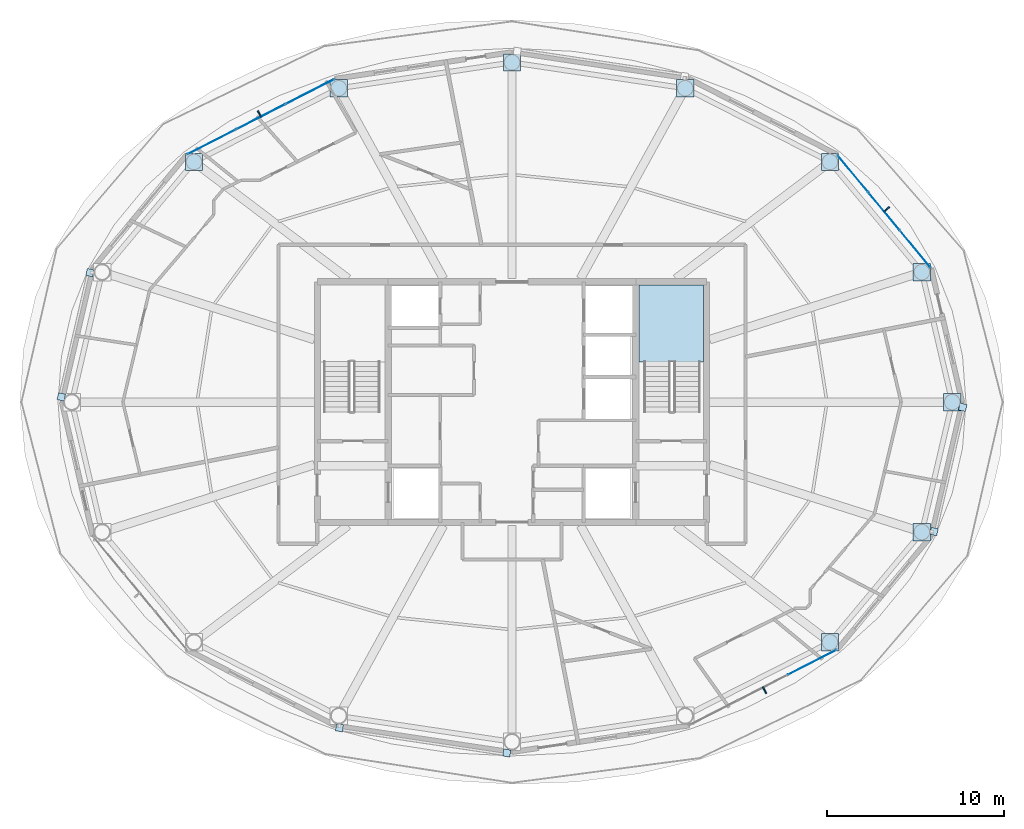
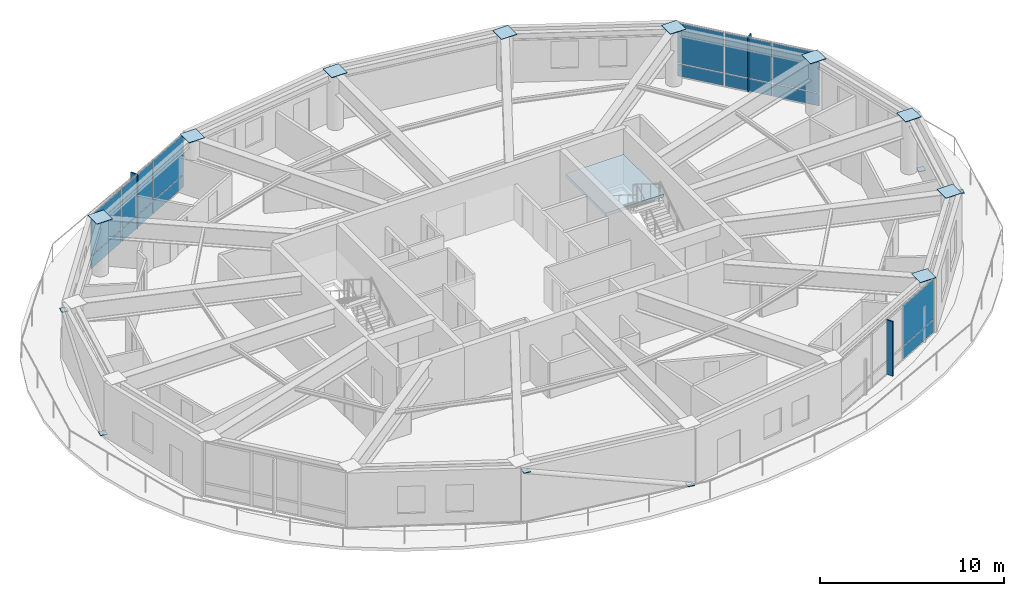
# One storey, part 17 of 24: 32 plates, 1 slab, 4 elements without a shape of their own.
"""IFC4 building model written with IfcOpenShell, lengths in metres."""

import ifcopenshell
import ifcopenshell.guid

model = None  # the IFC model being written
_history = None  # IfcOwnerHistory: only IFC2X3 demands one
_inside = {}  # id of a spatial element -> (the spatial element, [elements in it])
_under = {}  # id of a project, library or spatial element -> (it, [spatial elements below it])
_declared = {}  # id of a project -> (the project, [libraries it declares])
_typed = {}  # id of a type object -> (the type object, [elements of that type])
_made_of = {}  # id of a material, layer set ... -> (it, [elements and type objects made of it])


def new_model(schema):
    """Start an empty IFC model of exactly this schema.

    Asked for "IFC4X3", IfcOpenShell would pick the latest addendum, in which some entities
    have other attributes; the version numbers below select the first issue.
    IFC2X3 requires an IfcOwnerHistory on every rooted entity: one is made here for all.
    """
    global model, _history
    if schema == "IFC4X3":
        model = ifcopenshell.file(schema_version=(4, 3, 0, 0))
    else:
        model = ifcopenshell.file(schema=schema)
    _inside.clear()
    _under.clear()
    _declared.clear()
    _typed.clear()
    _made_of.clear()
    _history = None
    if model.schema == "IFC2X3":
        org = make("IfcOrganization", Name="unknown")
        user = make(
            "IfcPersonAndOrganization",
            ThePerson=make("IfcPerson", FamilyName="unknown"),
            TheOrganization=org,
        )
        app = make(
            "IfcApplication",
            ApplicationDeveloper=org,
            Version="unknown",
            ApplicationFullName="unknown",
            ApplicationIdentifier="unknown",
        )
        _history = make(
            "IfcOwnerHistory",
            OwningUser=user,
            OwningApplication=app,
            ChangeAction="ADDED",
            CreationDate=0,
        )
    return model


def make(cls, **values):
    """One entity of the class cls with the attributes given. An attribute that is None is left unset."""
    return model.create_entity(
        cls, **{name: value for name, value in values.items() if value is not None}
    )


def rooted(cls, **values):
    """An entity with a GlobalId (a new one), such as an element, a storey or a relation."""
    return make(cls, GlobalId=ifcopenshell.guid.new(), OwnerHistory=_history, **values)


def si_unit(unit_type, name, prefix=None):
    """IfcSIUnit, for example si_unit("LENGTHUNIT", "METRE", prefix="MILLI")."""
    return make("IfcSIUnit", UnitType=unit_type, Prefix=prefix, Name=name)


def assignment(units):
    """IfcUnitAssignment: the units of a project."""
    return None if units is None else make("IfcUnitAssignment", Units=units)


def point(xyz):
    """IfcCartesianPoint."""
    return None if xyz is None else make("IfcCartesianPoint", Coordinates=xyz)


def direction(xyz):
    """IfcDirection."""
    return None if xyz is None else make("IfcDirection", DirectionRatios=xyz)


def frame(location, z_axis=None, x_axis=None):
    """IfcAxis2Placement3D, a coordinate frame: its origin and axes. An axis left out is left unset."""
    return make(
        "IfcAxis2Placement3D",
        Location=point(location),
        Axis=direction(z_axis),
        RefDirection=direction(x_axis),
    )


def frame_2d(location, x_axis=None):
    """IfcAxis2Placement2D, a coordinate frame in the plane: its origin and x axis."""
    return make(
        "IfcAxis2Placement2D", Location=point(location), RefDirection=direction(x_axis)
    )


def origin():
    """The frame at (0, 0, 0) with its axes left unset."""
    return frame((0.0, 0.0, 0.0))


def origin_2d():
    """The frame at (0, 0) in the plane with its x axis left unset."""
    return frame_2d((0.0, 0.0))


def place(relative_to, where):
    """IfcLocalPlacement: puts the frame where relative to a parent placement (None: the world)."""
    return make(
        "IfcLocalPlacement", PlacementRelTo=relative_to, RelativePlacement=where
    )


def context(
    kind, dimensions, precision=None, world=None, true_north=None, identifier=None
):
    """IfcGeometricRepresentationContext, for example the 3D "Model" context."""
    return make(
        "IfcGeometricRepresentationContext",
        ContextIdentifier=identifier,
        ContextType=kind,
        CoordinateSpaceDimension=dimensions,
        Precision=precision,
        WorldCoordinateSystem=world,
        TrueNorth=true_north,
    )


def subcontext(parent, identifier, kind, view, scale=None):
    """IfcGeometricRepresentationSubContext, for example "Body" below "Model"."""
    return make(
        "IfcGeometricRepresentationSubContext",
        ContextIdentifier=identifier,
        ContextType=kind,
        ParentContext=parent,
        TargetScale=scale,
        TargetView=view,
    )


def project(units=None, contexts=None):
    """IfcProject with its units and contexts."""
    return rooted(
        "IfcProject",
        Name="project",
        RepresentationContexts=contexts,
        UnitsInContext=assignment(units),
    )


def spatial(cls, under=None, at=None, **own):
    """A site, building, storey or space (cls), placed at a placement, below another one or the project."""
    s = rooted(cls, ObjectPlacement=at, **own)
    if under is not None:
        _under.setdefault(under.id(), (under, []))[1].append(s)
    return s


def polyline(points):
    """IfcPolyline through the points."""
    return make("IfcPolyline", Points=[point(p) for p in points])


def profile(cls, at=None, kind="AREA", **sizes):
    """A parametric profile (cls). Its sizes go by their IFC names, for example OverallWidth=200.0."""
    return make(cls, ProfileType=kind, Position=at, **sizes)


def rectangle(**sizes):
    """IfcRectangleProfileDef."""
    return profile("IfcRectangleProfileDef", **sizes)


def outline(outer, holes=None, kind="AREA"):
    """IfcArbitraryClosedProfileDef: a profile drawn as a closed curve; with holes, ...WithVoids."""
    if holes is None:
        return make("IfcArbitraryClosedProfileDef", ProfileType=kind, OuterCurve=outer)
    return make(
        "IfcArbitraryProfileDefWithVoids",
        ProfileType=kind,
        OuterCurve=outer,
        InnerCurves=holes,
    )


def extrude(swept, where, along, depth):
    """IfcExtrudedAreaSolid: the profile swept, set in the frame where, extruded along a direction by depth."""
    return make(
        "IfcExtrudedAreaSolid",
        SweptArea=swept,
        Position=where,
        ExtrudedDirection=direction(along),
        Depth=depth,
    )


def shape(context_of_items, identifier, shape_type, items):
    """IfcShapeRepresentation: the items that make up one representation, for example the "Body"."""
    return make(
        "IfcShapeRepresentation",
        ContextOfItems=context_of_items,
        RepresentationIdentifier=identifier,
        RepresentationType=shape_type,
        Items=items,
    )


def material(Name=None, Category=None):
    """IfcMaterial."""
    return make("IfcMaterial", Name=Name, Category=Category)


def layer(
    of_material, thickness, ventilated=None, Name=None, Category=None, Priority=None
):
    """IfcMaterialLayer: one layer of a wall or slab, of a material (None: an air gap)."""
    return make(
        "IfcMaterialLayer",
        Material=of_material,
        LayerThickness=thickness,
        IsVentilated=ventilated,
        Name=Name,
        Category=Category,
        Priority=Priority,
    )


def layer_set(layers, Name=None):
    """IfcMaterialLayerSet."""
    return make("IfcMaterialLayerSet", MaterialLayers=layers, LayerSetName=Name)


def made_of(thing, what):
    """Note that an element or type object is made of a material, layer set ...; save() writes the relation."""
    if what is not None:
        _made_of.setdefault(what.id(), (what, []))[1].append(thing)
    return thing


def type_object(cls, material=None, **own):
    """A type object (cls), such as IfcWallType, which elements share."""
    return made_of(rooted(cls, **own), material)


def element(
    cls,
    number,
    at=None,
    inside=None,
    cuts=None,
    type_object=None,
    material=None,
    context=None,
    identifier="Body",
    shape_type=None,
    held_by="IfcProductDefinitionShape",
    body=None,
    shapes=None,
    **own,
):
    """One element of the class cls, such as IfcWall. Its Tag is "e" and its number.

    at: its placement. inside: the storey or other place that contains it. cuts: it is an
    opening in that element (IfcRelVoidsElement). A single representation is given by context,
    identifier, shape_type and body (its items); several are given by shapes. held_by: the class
    of the entity that holds the representations. save() writes the other relations.
    """
    e = rooted(cls, Tag="e%d" % number, ObjectPlacement=at, **own)
    if body is not None:
        shapes = [shape(context, identifier, shape_type, body)]
    if shapes is not None:
        e.Representation = make(held_by, Representations=shapes)
    if inside is not None:
        _inside.setdefault(inside.id(), (inside, []))[1].append(e)
    if cuts is not None:
        rooted(
            "IfcRelVoidsElement", RelatingBuildingElement=cuts, RelatedOpeningElement=e
        )
    if type_object is not None:
        _typed.setdefault(type_object.id(), (type_object, []))[1].append(e)
    return made_of(e, material)


def aggregate(whole, parts):
    """IfcRelAggregates: a whole, such as a stair, and the parts it consists of."""
    return rooted("IfcRelAggregates", RelatingObject=whole, RelatedObjects=parts)


def save(model, path):
    """Write the relations noted so far, then the file.

    IfcRelAggregates (storeys below a building ...), IfcRelContainedInSpatialStructure (elements
    in a storey), IfcRelDefinesByType, IfcRelAssociatesMaterial and IfcRelDeclares: one each for
    every whole, place, type object, material and project.
    """
    for whole, parts in _under.values():
        aggregate(whole, parts)
    for where, things in _inside.values():
        rooted(
            "IfcRelContainedInSpatialStructure",
            RelatedElements=things,
            RelatingStructure=where,
        )
    for kind, things in _typed.values():
        rooted("IfcRelDefinesByType", RelatedObjects=things, RelatingType=kind)
    for what, things in _made_of.values():
        rooted("IfcRelAssociatesMaterial", RelatedObjects=things, RelatingMaterial=what)
    for by, libraries in _declared.values():
        rooted("IfcRelDeclares", RelatingContext=by, RelatedDefinitions=libraries)
    model.write(path)


model = new_model("IFC4")

# Units and contexts
model_context = context("Model", 3, precision=1e-05, world=origin(), true_north=direction((0.0, 1.0)))
body_context = subcontext(model_context, "Body", "Model", "MODEL_VIEW")
ifc_project = project(units=[si_unit("LENGTHUNIT", "METRE"), si_unit("AREAUNIT", "SQUARE_METRE"), si_unit("VOLUMEUNIT", "CUBIC_METRE"), si_unit("PLANEANGLEUNIT", "RADIAN"), si_unit("MASSUNIT", "GRAM", prefix="KILO")], contexts=[model_context])

# Site, building, storey
site_placement = place(None, origin())
site = spatial("IfcSite", under=ifc_project, at=site_placement, CompositionType="ELEMENT")
building_placement = place(site_placement, origin())
building = spatial("IfcBuilding", under=site, at=building_placement, Name="Sarneth Arch Tower", CompositionType="ELEMENT")
storey_placement = place(building_placement, frame((0.0, 0.0, 312.60009765625)))
storey = spatial("IfcBuildingStorey", under=building, at=storey_placement, Name="L81", CompositionType="ELEMENT", Elevation=312.60009765625)

# Curtain wall, plates
ifc_material_1 = material(Name="Anodised aluminium Type AA25 and solar-control low-e laminated IGU", Category="aluminium")
ifc_layer_1 = layer(ifc_material_1, 0.179931640625)
ifc_layer_set_1 = layer_set([ifc_layer_1], Name="Anodised aluminium Type AA25 and solar-control low-e laminated IGU")
curtain_wall_type = type_object("IfcCurtainWallType", Name="CW-RES-HIGH", PredefinedType="NOTDEFINED", material=ifc_layer_set_1)
curtain_wall_1_placement = place(storey_placement, origin())
curtain_wall_1 = element("IfcCurtainWall", 1, at=curtain_wall_1_placement, inside=storey, type_object=curtain_wall_type, Name="L81 Unitised curtain wall facet 02", PredefinedType="NOTDEFINED")
ifc_material_2 = material(Name="Solar-control low-e laminated IGU", Category="glass")
ifc_layer_2 = layer(ifc_material_2, 0.028076171875)
ifc_layer_set_2 = layer_set([ifc_layer_2], Name="Solar-control low-e laminated IGU")
plate_type_1 = type_object("IfcPlateType", Name="CW-PANEL", PredefinedType="CURTAIN_PANEL", material=ifc_layer_set_2)
plate_1_placement = place(storey_placement, frame((70.799072265625, 50.650634765625, 0.059814453125), z_axis=(0.0, 0.0, 1.0), x_axis=(-0.637610094184, 0.770359245933, 0.0)))
plate_1 = element("IfcPlate", 2, at=plate_1_placement, type_object=plate_type_1, Name="Curtain wall glazed vision pane CW-L81-F02/P00-00", PredefinedType="CURTAIN_PANEL", context=body_context, shape_type="SweptSolid", body=[
    extrude(rectangle(XDim=2.686767578125, YDim=0.028076171875, at=origin_2d()), origin(), (0.0, 0.0, 1.0), 0.81005859375),
])
plate_2_placement = place(storey_placement, frame((70.799072265625, 50.650634765625, 0.929931640625), z_axis=(0.0, 0.0, 1.0), x_axis=(-0.637610094184, 0.770359245933, 0.0)))
plate_2 = element("IfcPlate", 3, at=plate_2_placement, type_object=plate_type_1, Name="Curtain wall glazed vision pane CW-L81-F02/P00-01", PredefinedType="CURTAIN_PANEL", context=body_context, shape_type="SweptSolid", body=[
    extrude(rectangle(XDim=2.686767578125, YDim=0.028076171875, at=origin_2d()), origin(), (0.0, 0.0, 1.0), 2.64990234375),
])
plate_3_placement = place(storey_placement, frame((69.0380859375, 52.778076171875, 0.059814453125), z_axis=(0.0, 0.0, 1.0), x_axis=(-0.637610094184, 0.770359245933, 0.0)))
plate_3 = element("IfcPlate", 4, at=plate_3_placement, type_object=plate_type_1, Name="Curtain wall glazed vision pane CW-L81-F02/P01-00", PredefinedType="CURTAIN_PANEL", context=body_context, shape_type="SweptSolid", body=[
    extrude(rectangle(XDim=2.716552734375, YDim=0.028076171875, at=origin_2d()), origin(), (0.0, 0.0, 1.0), 0.81005859375),
])
plate_4_placement = place(storey_placement, frame((69.0380859375, 52.778076171875, 0.929931640625), z_axis=(0.0, 0.0, 1.0), x_axis=(-0.637610094184, 0.770359245933, 0.0)))
plate_4 = element("IfcPlate", 5, at=plate_4_placement, type_object=plate_type_1, Name="Curtain wall glazed vision pane CW-L81-F02/P01-01", PredefinedType="CURTAIN_PANEL", context=body_context, shape_type="SweptSolid", body=[
    extrude(rectangle(XDim=2.716552734375, YDim=0.028076171875, at=origin_2d()), origin(), (0.0, 0.0, 1.0), 2.64990234375),
])
plate_5_placement = place(storey_placement, frame((67.27734375, 54.905517578125, 0.059814453125), z_axis=(0.0, 0.0, 1.0), x_axis=(-0.637610094184, 0.770359245933, 0.0)))
plate_5 = element("IfcPlate", 6, at=plate_5_placement, type_object=plate_type_1, Name="Curtain wall glazed vision pane CW-L81-F02/P02-00", PredefinedType="CURTAIN_PANEL", context=body_context, shape_type="SweptSolid", body=[
    extrude(rectangle(XDim=2.686767578125, YDim=0.028076171875, at=origin_2d()), origin(), (0.0, 0.0, 1.0), 0.81005859375),
])
plate_6_placement = place(storey_placement, frame((67.27734375, 54.905517578125, 0.929931640625), z_axis=(0.0, 0.0, 1.0), x_axis=(-0.637610094184, 0.770359245933, 0.0)))
plate_6 = element("IfcPlate", 7, at=plate_6_placement, type_object=plate_type_1, Name="Curtain wall glazed vision pane CW-L81-F02/P02-01", PredefinedType="CURTAIN_PANEL", context=body_context, shape_type="SweptSolid", body=[
    extrude(rectangle(XDim=2.686767578125, YDim=0.028076171875, at=origin_2d()), origin(), (0.0, 0.0, 1.0), 2.64990234375),
])
aggregate(curtain_wall_1, [plate_1, plate_2, plate_3, plate_4, plate_5, plate_6])

curtain_wall_2_placement = place(storey_placement, origin())
curtain_wall_2 = element("IfcCurtainWall", 8, at=curtain_wall_2_placement, inside=storey, type_object=curtain_wall_type, Name="L81 Unitised curtain wall facet 06", PredefinedType="NOTDEFINED")
plate_7_placement = place(storey_placement, frame((36.5791015625, 59.552978515625, 0.059814453125), z_axis=(0.0, 0.0, 1.0), x_axis=(-0.890009540525, -0.455941901753, 0.0)))
plate_7 = element("IfcPlate", 9, at=plate_7_placement, type_object=plate_type_1, Name="Curtain wall glazed vision pane CW-L81-F06/P00-00", PredefinedType="CURTAIN_PANEL", context=body_context, shape_type="SweptSolid", body=[
    extrude(rectangle(XDim=3.044677734375, YDim=0.028076171875, at=origin_2d()), origin(), (0.0, 0.0, 1.0), 0.81005859375),
])
plate_8_placement = place(storey_placement, frame((36.5791015625, 59.552978515625, 0.929931640625), z_axis=(0.0, 0.0, 1.0), x_axis=(-0.890009540525, -0.455941901753, 0.0)))
plate_8 = element("IfcPlate", 10, at=plate_8_placement, type_object=plate_type_1, Name="Curtain wall glazed vision pane CW-L81-F06/P00-01", PredefinedType="CURTAIN_PANEL", context=body_context, shape_type="SweptSolid", body=[
    extrude(rectangle(XDim=3.044677734375, YDim=0.028076171875, at=origin_2d()), origin(), (0.0, 0.0, 1.0), 2.64990234375),
])
plate_9_placement = place(storey_placement, frame((33.802490234375, 58.13037109375, 0.059814453125), z_axis=(0.0, 0.0, 1.0), x_axis=(-0.890009540525, -0.455941901753, 0.0)))
plate_9 = element("IfcPlate", 11, at=plate_9_placement, type_object=plate_type_1, Name="Curtain wall glazed vision pane CW-L81-F06/P01-00", PredefinedType="CURTAIN_PANEL", context=body_context, shape_type="SweptSolid", body=[
    extrude(rectangle(XDim=3.07470703125, YDim=0.028076171875, at=origin_2d()), origin(), (0.0, 0.0, 1.0), 0.81005859375),
])
plate_10_placement = place(storey_placement, frame((33.802490234375, 58.13037109375, 0.929931640625), z_axis=(0.0, 0.0, 1.0), x_axis=(-0.890009540525, -0.455941901753, 0.0)))
plate_10 = element("IfcPlate", 12, at=plate_10_placement, type_object=plate_type_1, Name="Curtain wall glazed vision pane CW-L81-F06/P01-01", PredefinedType="CURTAIN_PANEL", context=body_context, shape_type="SweptSolid", body=[
    extrude(rectangle(XDim=3.07470703125, YDim=0.028076171875, at=origin_2d()), origin(), (0.0, 0.0, 1.0), 2.64990234375),
])
plate_11_placement = place(storey_placement, frame((31.02587890625, 56.7080078125, 0.059814453125), z_axis=(0.0, 0.0, 1.0), x_axis=(-0.890009540525, -0.455941901753, 0.0)))
plate_11 = element("IfcPlate", 13, at=plate_11_placement, type_object=plate_type_1, Name="Curtain wall glazed vision pane CW-L81-F06/P02-00", PredefinedType="CURTAIN_PANEL", context=body_context, shape_type="SweptSolid", body=[
    extrude(rectangle(XDim=3.044677734375, YDim=0.028076171875, at=origin_2d()), origin(), (0.0, 0.0, 1.0), 0.81005859375),
])
plate_12_placement = place(storey_placement, frame((31.02587890625, 56.7080078125, 0.929931640625), z_axis=(0.0, 0.0, 1.0), x_axis=(-0.890009540525, -0.455941901753, 0.0)))
plate_12 = element("IfcPlate", 14, at=plate_12_placement, type_object=plate_type_1, Name="Curtain wall glazed vision pane CW-L81-F06/P02-01", PredefinedType="CURTAIN_PANEL", context=body_context, shape_type="SweptSolid", body=[
    extrude(rectangle(XDim=3.044677734375, YDim=0.028076171875, at=origin_2d()), origin(), (0.0, 0.0, 1.0), 2.64990234375),
])
aggregate(curtain_wall_2, [plate_7, plate_8, plate_9, plate_10, plate_11, plate_12])

curtain_wall_3_placement = place(storey_placement, origin())
curtain_wall_3 = element("IfcCurtainWall", 15, at=curtain_wall_3_placement, inside=storey, type_object=curtain_wall_type, Name="L81 Unitised curtain wall facet 14", PredefinedType="NOTDEFINED")
plate_13_placement = place(storey_placement, frame((64.97412109375, 27.2919921875, 0.059814453125), z_axis=(0.0, 0.0, 1.0), x_axis=(0.890009540525, 0.455941901753, 0.0)))
plate_13 = element("IfcPlate", 16, at=plate_13_placement, type_object=plate_type_1, Name="Curtain wall glazed vision pane CW-L81-F14/P02-00", PredefinedType="CURTAIN_PANEL", context=body_context, shape_type="SweptSolid", body=[
    extrude(rectangle(XDim=3.044677734375, YDim=0.028076171875, at=origin_2d()), origin(), (0.0, 0.0, 1.0), 0.81005859375),
])
plate_14_placement = place(storey_placement, frame((64.97412109375, 27.2919921875, 0.929931640625), z_axis=(0.0, 0.0, 1.0), x_axis=(0.890009540525, 0.455941901753, 0.0)))
plate_14 = element("IfcPlate", 17, at=plate_14_placement, type_object=plate_type_1, Name="Curtain wall glazed vision pane CW-L81-F14/P02-01", PredefinedType="CURTAIN_PANEL", context=body_context, shape_type="SweptSolid", body=[
    extrude(rectangle(XDim=3.044677734375, YDim=0.028076171875, at=origin_2d()), origin(), (0.0, 0.0, 1.0), 2.64990234375),
])
aggregate(curtain_wall_3, [plate_13, plate_14])

# Plates
ifc_material_3 = material(Name="Steel S355", Category="steel")
ifc_layer_3 = layer(ifc_material_3, 0.035888671875)
ifc_layer_set_3 = layer_set([ifc_layer_3], Name="Steel S355")
plate_type_2 = type_object("IfcPlateType", Name="PLT-GUSSET-30", PredefinedType="SHEET", material=ifc_layer_set_3)
for number, where, z_axis, x_axis, name in (
    (18, (22.5234375, 42.292236328125, 0.001953125), (0.0, 0.0, 1.0), (-0.225461202458, -0.974252147129, 0.0), "Steel end cap plate GP-1"),
    (19, (24.148193359375, 49.3154296875, 3.34423828125), (0.0, 0.0, 1.0), (-0.225461202458, -0.974252147129, 0.0), "Steel end cap plate GP-1"),
    (20, (47.703369140625, 22.16455078125, 0.001953125), (0.0, 0.0, 1.0), (0.988860535448, -0.148845024885, 0.0), "Steel end cap plate GP-1"),
    (21, (38.245849609375, 23.588623046875, 3.34423828125), (0.0, 0.0, 1.0), (0.988860535448, -0.148845024885, 0.0), "Steel end cap plate GP-1"),
    (22, (73.4765625, 41.707763671875, 0.001953125), (0.0, 0.0, 1.0), (0.225461202458, 0.974252147129, 0.0), "Steel end cap plate GP-1"),
    (23, (71.851806640625, 34.6845703125, 3.34423828125), (0.0, 0.0, 1.0), (0.225461202458, 0.974252147129, 0.0), "Steel end cap plate GP-1"),
):
    element("IfcPlate", number, at=place(storey_placement, frame(where, z_axis=z_axis, x_axis=x_axis)), inside=storey, type_object=plate_type_2, Name=name, PredefinedType="SHEET", context=body_context, shape_type="SweptSolid", body=[
        extrude(rectangle(XDim=0.404052734375, YDim=0.404052734375, at=origin_2d()), origin(), (0.0, 0.0, 1.0), 0.035888671875),
    ])
ifc_material_4 = material(Name="Steel S355", Category="steel")
ifc_layer_4 = layer(ifc_material_4, 0.0400390625)
ifc_layer_set_4 = layer_set([ifc_layer_4], Name="Steel S355")
plate_type_3 = type_object("IfcPlateType", Name="PLT-SPLICE-40", PredefinedType="SHEET", material=ifc_layer_set_4)
for number, where, z_axis, x_axis, name in (
    (24, (72.88330078125, 42.0, 3.6220703125), (0.0, 0.0, 1.0), (1.0, 0.0, 0.0), "Steel end cap plate GP-2"),
    (25, (71.1689453125, 49.347412109375, 3.6220703125), (0.0, 0.0, 1.0), (1.0, 0.0, 0.0), "Steel end cap plate GP-2"),
    (26, (65.975341796875, 55.576416015625, 3.6220703125), (0.0, 0.0, 1.0), (1.0, 0.0, 0.0), "Steel end cap plate GP-2"),
    (27, (57.790771484375, 59.738525390625, 3.6220703125), (0.0, 0.0, 1.0), (1.0, 0.0, 0.0), "Steel end cap plate GP-2"),
    (28, (48.0, 61.199951171875, 3.6220703125), (0.0, 0.0, 1.0), (1.0, 0.0, 0.0), "Steel end cap plate GP-2"),
    (29, (38.209228515625, 59.738525390625, 3.6220703125), (0.0, 0.0, 1.0), (1.0, 0.0, 0.0), "Steel end cap plate GP-2"),
    (30, (30.024658203125, 55.576416015625, 3.6220703125), (0.0, 0.0, 1.0), (1.0, 0.0, 0.0), "Steel end cap plate GP-2"),
    (31, (65.975341796875, 28.423583984375, 3.6220703125), (0.0, 0.0, 1.0), (1.0, 0.0, 0.0), "Steel end cap plate GP-2"),
    (32, (71.1689453125, 34.652587890625, 3.6220703125), (0.0, 0.0, 1.0), (1.0, 0.0, 0.0), "Steel end cap plate GP-2"),
):
    element("IfcPlate", number, at=place(storey_placement, frame(where, z_axis=z_axis, x_axis=x_axis)), inside=storey, type_object=plate_type_3, Name=name, PredefinedType="SHEET", context=body_context, shape_type="SweptSolid", body=[
        extrude(rectangle(XDim=0.97998046875, YDim=0.97998046875, at=origin_2d()), origin(), (0.0, 0.0, 1.0), 0.035888671875),
    ])
ifc_material_5 = material(Name="Extruded glazed terracotta baguette fin on Aluminium 6063-T6 carrier", Category="masonry")
ifc_layer_5 = layer(ifc_material_5, 0.080078125)
ifc_layer_set_5 = layer_set([ifc_layer_5], Name="Extruded glazed terracotta baguette fin on Aluminium 6063-T6 carrier")
plate_type_4 = type_object("IfcPlateType", Name="SHADE-TERRA-FIN", PredefinedType="SHEET", material=ifc_layer_set_5)
for number, where, z_axis, x_axis, name in (
    (33, (69.169189453125, 52.886474609375, 0.009765625), (0.0, 0.0, 1.0), (0.770401979567, 0.63755845997, 0.0), "L81 Terracotta vertical shading fin 02"),
    (34, (33.724853515625, 58.28173828125, 0.009765625), (0.0, 0.0, 1.0), (-0.456010959102, 0.889974159838, 0.0), "L81 Terracotta vertical shading fin 06"),
    (35, (62.275146484375, 25.71826171875, 0.009765625), (0.0, 0.0, 1.0), (0.456010959102, -0.889974159838, 0.0), "L81 Terracotta vertical shading fin 14"),
):
    element("IfcPlate", number, at=place(storey_placement, frame(where, z_axis=z_axis, x_axis=x_axis)), inside=storey, type_object=plate_type_4, Name=name, PredefinedType="SHEET", context=body_context, shape_type="SweptSolid", body=[
        extrude(rectangle(XDim=0.419921875, YDim=0.080078125, at=origin_2d()), origin(), (0.0, 0.0, 1.0), 3.6201171875),
    ])

# Stair, slab
ifc_material_6 = material(Name="Concrete C50/60", Category="concrete")
stair_type = type_object("IfcStairType", Name="STAIR-CORE-RC", PredefinedType="HALF_TURN_STAIR", material=ifc_material_6)
stair_placement = place(storey_placement, origin())
stair = element("IfcStair", 36, at=stair_placement, inside=storey, type_object=stair_type, Name="L81 Core Exit Stair 2", PredefinedType="HALF_TURN_STAIR")
ifc_material_7 = material(Name="Concrete C50/60", Category="concrete")
ifc_layer_6 = layer(ifc_material_7, 0.199951171875)
ifc_layer_set_6 = layer_set([ifc_layer_6], Name="Concrete C50/60")
slab_type = type_object("IfcSlabType", Name="SLAB-LANDING-200", PredefinedType="LANDING", material=ifc_layer_set_6)
slab_placement = place(storey_placement, frame((0.0, 0.0, 1.75)))
slab = element("IfcSlab", 37, at=slab_placement, type_object=slab_type, Name="ST-2 landing 1", PredefinedType="LANDING", context=body_context, shape_type="SweptSolid", body=[
    extrude(outline(polyline([(55.175048828125, 44.27001953125), (58.824951171875, 44.27001953125), (58.824951171875, 48.625), (55.175048828125, 48.625), (55.175048828125, 44.27001953125)])), origin(), (0.0, 0.0, 1.0), 0.199951171875),
])
aggregate(stair, [slab])

save(model, "model.ifc")
